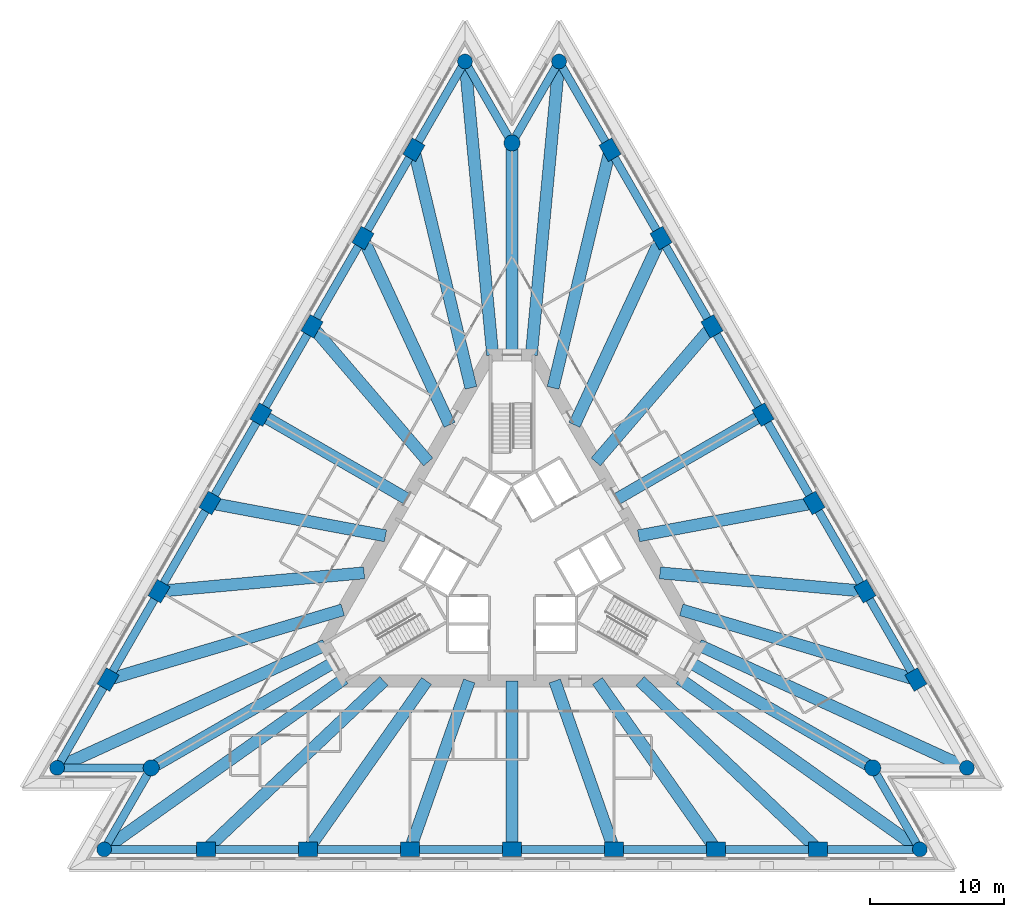
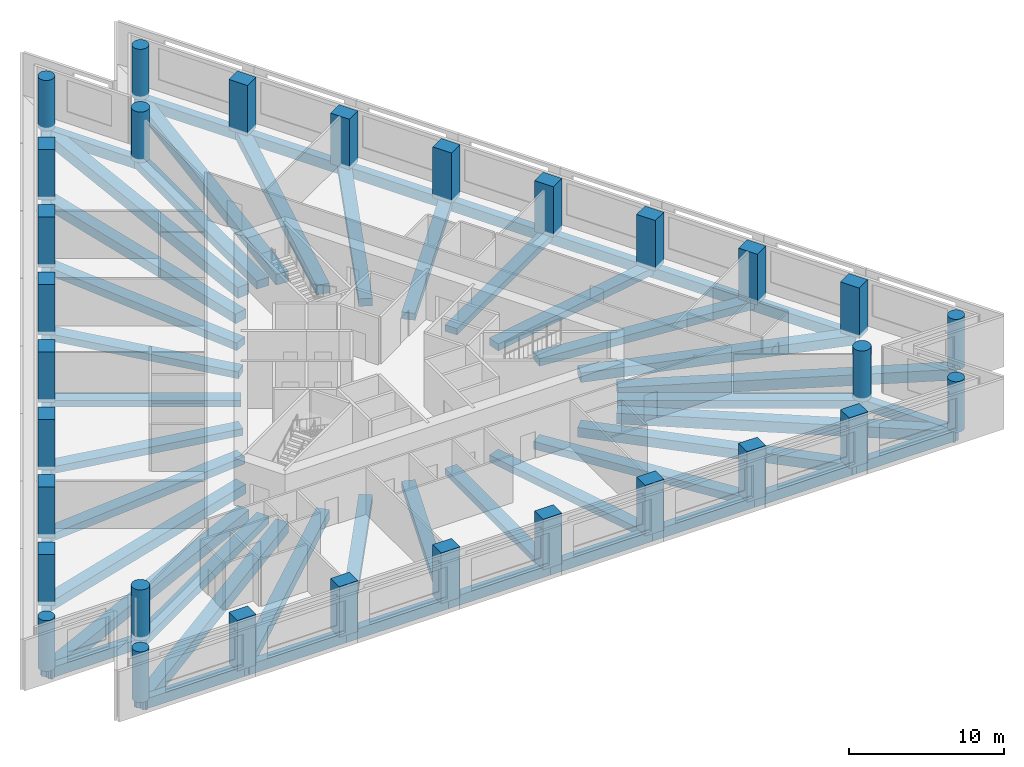
# One storey, part 1 of 11: 58 beams, 30 columns.
"""IFC4 building model written with IfcOpenShell, lengths in metres."""

import ifcopenshell
import ifcopenshell.guid

model = None  # the IFC model being written
_history = None  # IfcOwnerHistory: only IFC2X3 demands one
_inside = {}  # id of a spatial element -> (the spatial element, [elements in it])
_under = {}  # id of a project, library or spatial element -> (it, [spatial elements below it])
_declared = {}  # id of a project -> (the project, [libraries it declares])
_typed = {}  # id of a type object -> (the type object, [elements of that type])
_made_of = {}  # id of a material, layer set ... -> (it, [elements and type objects made of it])


def new_model(schema):
    """Start an empty IFC model of exactly this schema.

    Asked for "IFC4X3", IfcOpenShell would pick the latest addendum, in which some entities
    have other attributes; the version numbers below select the first issue.
    IFC2X3 requires an IfcOwnerHistory on every rooted entity: one is made here for all.
    """
    global model, _history
    if schema == "IFC4X3":
        model = ifcopenshell.file(schema_version=(4, 3, 0, 0))
    else:
        model = ifcopenshell.file(schema=schema)
    _inside.clear()
    _under.clear()
    _declared.clear()
    _typed.clear()
    _made_of.clear()
    _history = None
    if model.schema == "IFC2X3":
        org = make("IfcOrganization", Name="unknown")
        user = make(
            "IfcPersonAndOrganization",
            ThePerson=make("IfcPerson", FamilyName="unknown"),
            TheOrganization=org,
        )
        app = make(
            "IfcApplication",
            ApplicationDeveloper=org,
            Version="unknown",
            ApplicationFullName="unknown",
            ApplicationIdentifier="unknown",
        )
        _history = make(
            "IfcOwnerHistory",
            OwningUser=user,
            OwningApplication=app,
            ChangeAction="ADDED",
            CreationDate=0,
        )
    return model


def make(cls, **values):
    """One entity of the class cls with the attributes given. An attribute that is None is left unset."""
    return model.create_entity(
        cls, **{name: value for name, value in values.items() if value is not None}
    )


def rooted(cls, **values):
    """An entity with a GlobalId (a new one), such as an element, a storey or a relation."""
    return make(cls, GlobalId=ifcopenshell.guid.new(), OwnerHistory=_history, **values)


def si_unit(unit_type, name, prefix=None):
    """IfcSIUnit, for example si_unit("LENGTHUNIT", "METRE", prefix="MILLI")."""
    return make("IfcSIUnit", UnitType=unit_type, Prefix=prefix, Name=name)


def assignment(units):
    """IfcUnitAssignment: the units of a project."""
    return None if units is None else make("IfcUnitAssignment", Units=units)


def point(xyz):
    """IfcCartesianPoint."""
    return None if xyz is None else make("IfcCartesianPoint", Coordinates=xyz)


def direction(xyz):
    """IfcDirection."""
    return None if xyz is None else make("IfcDirection", DirectionRatios=xyz)


def frame(location, z_axis=None, x_axis=None):
    """IfcAxis2Placement3D, a coordinate frame: its origin and axes. An axis left out is left unset."""
    return make(
        "IfcAxis2Placement3D",
        Location=point(location),
        Axis=direction(z_axis),
        RefDirection=direction(x_axis),
    )


def frame_2d(location, x_axis=None):
    """IfcAxis2Placement2D, a coordinate frame in the plane: its origin and x axis."""
    return make(
        "IfcAxis2Placement2D", Location=point(location), RefDirection=direction(x_axis)
    )


def origin():
    """The frame at (0, 0, 0) with its axes left unset."""
    return frame((0.0, 0.0, 0.0))


def origin_2d():
    """The frame at (0, 0) in the plane with its x axis left unset."""
    return frame_2d((0.0, 0.0))


def place(relative_to, where):
    """IfcLocalPlacement: puts the frame where relative to a parent placement (None: the world)."""
    return make(
        "IfcLocalPlacement", PlacementRelTo=relative_to, RelativePlacement=where
    )


def context(
    kind, dimensions, precision=None, world=None, true_north=None, identifier=None
):
    """IfcGeometricRepresentationContext, for example the 3D "Model" context."""
    return make(
        "IfcGeometricRepresentationContext",
        ContextIdentifier=identifier,
        ContextType=kind,
        CoordinateSpaceDimension=dimensions,
        Precision=precision,
        WorldCoordinateSystem=world,
        TrueNorth=true_north,
    )


def subcontext(parent, identifier, kind, view, scale=None):
    """IfcGeometricRepresentationSubContext, for example "Body" below "Model"."""
    return make(
        "IfcGeometricRepresentationSubContext",
        ContextIdentifier=identifier,
        ContextType=kind,
        ParentContext=parent,
        TargetScale=scale,
        TargetView=view,
    )


def project(units=None, contexts=None):
    """IfcProject with its units and contexts."""
    return rooted(
        "IfcProject",
        Name="project",
        RepresentationContexts=contexts,
        UnitsInContext=assignment(units),
    )


def spatial(cls, under=None, at=None, **own):
    """A site, building, storey or space (cls), placed at a placement, below another one or the project."""
    s = rooted(cls, ObjectPlacement=at, **own)
    if under is not None:
        _under.setdefault(under.id(), (under, []))[1].append(s)
    return s


def profile(cls, at=None, kind="AREA", **sizes):
    """A parametric profile (cls). Its sizes go by their IFC names, for example OverallWidth=200.0."""
    return make(cls, ProfileType=kind, Position=at, **sizes)


def rectangle(**sizes):
    """IfcRectangleProfileDef."""
    return profile("IfcRectangleProfileDef", **sizes)


def circle(**sizes):
    """IfcCircleProfileDef."""
    return profile("IfcCircleProfileDef", **sizes)


def extrude(swept, where, along, depth):
    """IfcExtrudedAreaSolid: the profile swept, set in the frame where, extruded along a direction by depth."""
    return make(
        "IfcExtrudedAreaSolid",
        SweptArea=swept,
        Position=where,
        ExtrudedDirection=direction(along),
        Depth=depth,
    )


def shape(context_of_items, identifier, shape_type, items):
    """IfcShapeRepresentation: the items that make up one representation, for example the "Body"."""
    return make(
        "IfcShapeRepresentation",
        ContextOfItems=context_of_items,
        RepresentationIdentifier=identifier,
        RepresentationType=shape_type,
        Items=items,
    )


def material(Name=None, Category=None):
    """IfcMaterial."""
    return make("IfcMaterial", Name=Name, Category=Category)


def material_profile(
    of_material, cross_section, Name=None, Category=None, Priority=None
):
    """IfcMaterialProfile: a cross section and its material."""
    return make(
        "IfcMaterialProfile",
        Name=Name,
        Material=of_material,
        Profile=cross_section,
        Priority=Priority,
        Category=Category,
    )


def profile_set(profiles, Name=None, composite=None):
    """IfcMaterialProfileSet."""
    return make(
        "IfcMaterialProfileSet",
        Name=Name,
        MaterialProfiles=profiles,
        CompositeProfile=composite,
    )


def made_of(thing, what):
    """Note that an element or type object is made of a material, layer set ...; save() writes the relation."""
    if what is not None:
        _made_of.setdefault(what.id(), (what, []))[1].append(thing)
    return thing


def type_object(cls, material=None, **own):
    """A type object (cls), such as IfcWallType, which elements share."""
    return made_of(rooted(cls, **own), material)


def element(
    cls,
    number,
    at=None,
    inside=None,
    cuts=None,
    type_object=None,
    material=None,
    context=None,
    identifier="Body",
    shape_type=None,
    held_by="IfcProductDefinitionShape",
    body=None,
    shapes=None,
    **own,
):
    """One element of the class cls, such as IfcWall. Its Tag is "e" and its number.

    at: its placement. inside: the storey or other place that contains it. cuts: it is an
    opening in that element (IfcRelVoidsElement). A single representation is given by context,
    identifier, shape_type and body (its items); several are given by shapes. held_by: the class
    of the entity that holds the representations. save() writes the other relations.
    """
    e = rooted(cls, Tag="e%d" % number, ObjectPlacement=at, **own)
    if body is not None:
        shapes = [shape(context, identifier, shape_type, body)]
    if shapes is not None:
        e.Representation = make(held_by, Representations=shapes)
    if inside is not None:
        _inside.setdefault(inside.id(), (inside, []))[1].append(e)
    if cuts is not None:
        rooted(
            "IfcRelVoidsElement", RelatingBuildingElement=cuts, RelatedOpeningElement=e
        )
    if type_object is not None:
        _typed.setdefault(type_object.id(), (type_object, []))[1].append(e)
    return made_of(e, material)


def aggregate(whole, parts):
    """IfcRelAggregates: a whole, such as a stair, and the parts it consists of."""
    return rooted("IfcRelAggregates", RelatingObject=whole, RelatedObjects=parts)


def save(model, path):
    """Write the relations noted so far, then the file.

    IfcRelAggregates (storeys below a building ...), IfcRelContainedInSpatialStructure (elements
    in a storey), IfcRelDefinesByType, IfcRelAssociatesMaterial and IfcRelDeclares: one each for
    every whole, place, type object, material and project.
    """
    for whole, parts in _under.values():
        aggregate(whole, parts)
    for where, things in _inside.values():
        rooted(
            "IfcRelContainedInSpatialStructure",
            RelatedElements=things,
            RelatingStructure=where,
        )
    for kind, things in _typed.values():
        rooted("IfcRelDefinesByType", RelatedObjects=things, RelatingType=kind)
    for what, things in _made_of.values():
        rooted("IfcRelAssociatesMaterial", RelatedObjects=things, RelatingMaterial=what)
    for by, libraries in _declared.values():
        rooted("IfcRelDeclares", RelatingContext=by, RelatedDefinitions=libraries)
    model.write(path)


model = new_model("IFC4")

# Units and contexts
model_context = context("Model", 3, precision=1e-05, world=origin(), true_north=direction((0.0, 1.0)))
body_context = subcontext(model_context, "Body", "Model", "MODEL_VIEW")
ifc_project = project(units=[si_unit("LENGTHUNIT", "METRE"), si_unit("AREAUNIT", "SQUARE_METRE"), si_unit("VOLUMEUNIT", "CUBIC_METRE"), si_unit("PLANEANGLEUNIT", "RADIAN"), si_unit("MASSUNIT", "GRAM", prefix="KILO")], contexts=[model_context])

# Site, building, storey
site_placement = place(None, origin())
site = spatial("IfcSite", under=ifc_project, at=site_placement, CompositionType="ELEMENT")
building_placement = place(site_placement, origin())
building = spatial("IfcBuilding", under=site, at=building_placement, Name="Triada Interchange Tower", CompositionType="ELEMENT")
storey_placement = place(building_placement, frame((0.0, 0.0, 43.300048828125)))
storey = spatial("IfcBuildingStorey", under=building, at=storey_placement, Name="L08", CompositionType="ELEMENT", Elevation=43.300048828125)

# Columns
ifc_material_1 = material(Name="Concrete C70/85", Category="concrete")
ifc_material_profile_1 = material_profile(ifc_material_1, rectangle(XDim=1.39990234375, YDim=1.10009765625, at=origin_2d()), Name="RC 1400x1100")
ifc_profile_set_1 = profile_set([ifc_material_profile_1], Name="Concrete C70/85")
column_type_1 = type_object("IfcColumnType", Name="Column A face RC 1400x1100", PredefinedType="COLUMN", material=ifc_profile_set_1)
for number, where, z_axis, x_axis, name in (
    (1, (-7.306884765625, 30.5439453125, -0.300048828125), (0.0, 0.0, 1.0), (0.5, 0.866025403784, 0.0), "Column CA02 L08"),
    (2, (-11.10595703125, 23.9619140625, -0.300048828125), (0.0, 0.0, 1.0), (0.5, 0.866025403784, 0.0), "Column CA03 L08"),
    (3, (-14.906005859375, 17.381103515625, -0.300048828125), (0.0, 0.0, 1.0), (0.5, 0.866025403784, 0.0), "Column CA04 L08"),
    (4, (-18.7060546875, 10.800048828125, -0.300048828125), (0.0, 0.0, 1.0), (0.5, 0.866025403784, 0.0), "Column CA05 L08"),
    (5, (-22.506103515625, 4.218994140625, -0.300048828125), (0.0, 0.0, 1.0), (0.5, 0.866025403784, 0.0), "Column CA06 L08"),
    (6, (-26.305908203125, -2.362060546875, -0.300048828125), (0.0, 0.0, 1.0), (0.5, 0.866025403784, 0.0), "Column CA07 L08"),
    (7, (-30.10498046875, -8.944091796875, -0.300048828125), (0.0, 0.0, 1.0), (0.5, 0.866025403784, 0.0), "Column CA08 L08"),
    (8, (-22.798095703125, -21.60009765625, -0.300048828125), (0.0, 0.0, 1.0), (1.0, 0.0, 0.0), "Column CA11 L08"),
    (9, (-15.197998046875, -21.60009765625, -0.300048828125), (0.0, 0.0, 1.0), (1.0, 0.0, 0.0), "Column CA12 L08"),
    (10, (-7.59912109375, -21.60009765625, -0.300048828125), (0.0, 0.0, 1.0), (1.0, 0.0, 0.0), "Column CA13 L08"),
    (11, (0.0, -21.60009765625, -0.300048828125), (0.0, 0.0, 1.0), (1.0, 0.0, 0.0), "Column CA14 L08"),
    (12, (7.59912109375, -21.60009765625, -0.300048828125), (0.0, 0.0, 1.0), (1.0, 0.0, 0.0), "Column CA15 L08"),
    (13, (15.198974609375, -21.60009765625, -0.300048828125), (0.0, 0.0, 1.0), (1.0, 0.0, 0.0), "Column CA16 L08"),
    (14, (22.798095703125, -21.60009765625, -0.300048828125), (0.0, 0.0, 1.0), (1.0, 0.0, 0.0), "Column CA17 L08"),
    (15, (30.10498046875, -8.944091796875, -0.300048828125), (0.0, 0.0, 1.0), (-0.5, 0.866025403784, 0.0), "Column CA20 L08"),
    (16, (26.305908203125, -2.363037109375, -0.300048828125), (0.0, 0.0, 1.0), (-0.5, 0.866025403784, 0.0), "Column CA21 L08"),
    (17, (22.506103515625, 4.218994140625, -0.300048828125), (0.0, 0.0, 1.0), (-0.5, 0.866025403784, 0.0), "Column CA22 L08"),
    (18, (18.7060546875, 10.800048828125, -0.300048828125), (0.0, 0.0, 1.0), (-0.5, 0.866025403784, 0.0), "Column CA23 L08"),
    (19, (14.906005859375, 17.381103515625, -0.300048828125), (0.0, 0.0, 1.0), (-0.5, 0.866025403784, 0.0), "Column CA24 L08"),
    (20, (11.10595703125, 23.9619140625, -0.300048828125), (0.0, 0.0, 1.0), (-0.5, 0.866025403784, 0.0), "Column CA25 L08"),
    (21, (7.306884765625, 30.5439453125, -0.300048828125), (0.0, 0.0, 1.0), (-0.5, 0.866025403784, 0.0), "Column CA26 L08"),
):
    element("IfcColumn", number, at=place(storey_placement, frame(where, z_axis=z_axis, x_axis=x_axis)), inside=storey, type_object=column_type_1, Name=name, PredefinedType="COLUMN", context=body_context, shape_type="SweptSolid", body=[
        extrude(rectangle(XDim=1.39990234375, YDim=1.10009765625, at=origin_2d()), origin(), (0.0, 0.0, 1.0), 4.0),
    ])
ifc_material_profile_2 = material_profile(ifc_material_1, circle(Radius=0.550048828125, at=origin_2d()), Name="RC D1100")
ifc_profile_set_2 = profile_set([ifc_material_profile_2], Name="Concrete C70/85")
column_type_2 = type_object("IfcColumnType", Name="End column A RC D1100", PredefinedType="COLUMN", material=ifc_profile_set_2)
for number, where, z_axis, x_axis, name in (
    (22, (-3.507080078125, 37.125, -0.300048828125), (0.0, 0.0, 1.0), (0.5, 0.866025403784, 0.0), "Column CA01 L08"),
    (23, (-33.905029296875, -15.52490234375, -0.300048828125), (0.0, 0.0, 1.0), (0.5, 0.866025403784, 0.0), "Column CA09 L08"),
    (24, (-30.39697265625, -21.60009765625, -0.300048828125), (0.0, 0.0, 1.0), (1.0, 0.0, 0.0), "Column CA10 L08"),
    (25, (30.39697265625, -21.60009765625, -0.300048828125), (0.0, 0.0, 1.0), (1.0, 0.0, 0.0), "Column CA18 L08"),
    (26, (33.905029296875, -15.52490234375, -0.300048828125), (0.0, 0.0, 1.0), (-0.5, 0.866025403784, 0.0), "Column CA19 L08"),
    (27, (3.507080078125, 37.125, -0.300048828125), (0.0, 0.0, 1.0), (-0.5, 0.866025403784, 0.0), "Column CA27 L08"),
):
    element("IfcColumn", number, at=place(storey_placement, frame(where, z_axis=z_axis, x_axis=x_axis)), inside=storey, type_object=column_type_2, Name=name, PredefinedType="COLUMN", context=body_context, shape_type="SweptSolid", body=[
        extrude(circle(Radius=0.550048828125, at=origin_2d()), origin(), (0.0, 0.0, 1.0), 4.0),
    ])
ifc_material_profile_3 = material_profile(ifc_material_1, circle(Radius=0.60009765625, at=origin_2d()), Name="RC D1200")
ifc_profile_set_3 = profile_set([ifc_material_profile_3], Name="Concrete C70/85")
column_type_3 = type_object("IfcColumnType", Name="Mega column A RC D1200", PredefinedType="COLUMN", material=ifc_profile_set_3)
for number, where, z_axis, x_axis, name in (
    (28, (0.0, 31.050048828125, -0.300048828125), (0.0, 0.0, 1.0), (1.0, 0.0, 0.0), "Column MA1 L08"),
    (29, (-26.889892578125, -15.52490234375, -0.300048828125), (0.0, 0.0, 1.0), (1.0, 0.0, 0.0), "Column MA2 L08"),
    (30, (26.889892578125, -15.52490234375, -0.300048828125), (0.0, 0.0, 1.0), (1.0, 0.0, 0.0), "Column MA3 L08"),
):
    element("IfcColumn", number, at=place(storey_placement, frame(where, z_axis=z_axis, x_axis=x_axis)), inside=storey, type_object=column_type_3, Name=name, PredefinedType="COLUMN", context=body_context, shape_type="SweptSolid", body=[
        extrude(circle(Radius=0.60009765625, at=origin_2d()), origin(), (0.0, 0.0, 1.0), 4.0),
    ])

# Beams
ifc_material_2 = material(Name="Concrete C50/60", Category="concrete")
ifc_material_profile_4 = material_profile(ifc_material_2, rectangle(XDim=0.89990234375, YDim=0.5, at=origin_2d()), Name="RC 900x500")
ifc_profile_set_4 = profile_set([ifc_material_profile_4], Name="Concrete C50/60")
beam_type_1 = type_object("IfcBeamType", Name="Radial band beam A RC 900x500", PredefinedType="BEAM", material=ifc_profile_set_4)
beam_1_placement = place(storey_placement, frame((-18.7060546875, 10.800048828125, -0.550048828125), z_axis=(0.866030743932, -0.499990750478, 0.0), x_axis=(0.499990750478, 0.866030743932, 0.0)))
element("IfcBeam", 31, at=beam_1_placement, inside=storey, type_object=beam_type_1, Name="Radial band beam BA05 L08", PredefinedType="BEAM", context=body_context, shape_type="SweptSolid", body=[
    extrude(rectangle(XDim=0.89990234375, YDim=0.5, at=origin_2d()), origin(), (0.0, 0.0, 1.0), 12.550537109375),
])
beam_2_placement = place(storey_placement, frame((0.0, -21.60009765625, -0.550048828125), z_axis=(0.0, 1.0, 0.0), x_axis=(-1.0, 0.0, 0.0)))
element("IfcBeam", 32, at=beam_2_placement, inside=storey, type_object=beam_type_1, Name="Radial band beam BA15 L08", PredefinedType="BEAM", context=body_context, shape_type="SweptSolid", body=[
    extrude(rectangle(XDim=0.89990234375, YDim=0.5, at=origin_2d()), origin(), (0.0, 0.0, 1.0), 12.550048828125),
])
beam_3_placement = place(storey_placement, frame((18.7060546875, 10.800048828125, -0.550048828125), z_axis=(-0.866030743932, -0.499990750478, 0.0), x_axis=(0.499990750478, -0.866030743932, 0.0)))
element("IfcBeam", 33, at=beam_3_placement, inside=storey, type_object=beam_type_1, Name="Radial band beam BA25 L08", PredefinedType="BEAM", context=body_context, shape_type="SweptSolid", body=[
    extrude(rectangle(XDim=0.89990234375, YDim=0.5, at=origin_2d()), origin(), (0.0, 0.0, 1.0), 12.550537109375),
])
ifc_material_profile_5 = material_profile(ifc_material_2, rectangle(XDim=0.89990234375, YDim=0.550048828125, at=origin_2d()), Name="RC 900x550")
ifc_profile_set_5 = profile_set([ifc_material_profile_5], Name="Concrete C50/60")
beam_type_2 = type_object("IfcBeamType", Name="Radial band beam A RC 900x550", PredefinedType="BEAM", material=ifc_profile_set_5)
beam_4_placement = place(storey_placement, frame((-14.906005859375, 17.381103515625, -0.574951171875), z_axis=(0.650986299773, -0.75908947925, 0.0), x_axis=(0.75908947925, 0.650986299773, 0.0)))
element("IfcBeam", 34, at=beam_4_placement, inside=storey, type_object=beam_type_2, Name="Radial band beam BA04 L08", PredefinedType="BEAM", context=body_context, shape_type="SweptSolid", body=[
    extrude(rectangle(XDim=0.89990234375, YDim=0.550048828125, at=origin_2d()), origin(), (0.0, 0.0, 1.0), 13.30419921875),
])
for number, where, z_axis, x_axis, name in (
    (35, (-22.506103515625, 4.218994140625, -0.574951171875), (0.982883818868, -0.184226487259, 0.0), (0.184226487259, 0.982883818868, 0.0), "Radial band beam BA06 L08"),
    (36, (-7.59912109375, -21.60009765625, -0.574951171875), (0.33185813028, 0.943329306959, 0.0), (-0.943329306959, 0.33185813028, 0.0), "Radial band beam BA14 L08"),
    (37, (7.59912109375, -21.60009765625, -0.574951171875), (-0.33185813028, 0.943329306959, 0.0), (-0.943329306959, -0.33185813028, 0.0), "Radial band beam BA16 L08"),
    (38, (22.506103515625, 4.218994140625, -0.574951171875), (-0.982883818868, -0.184226487259, 0.0), (0.184226487259, -0.982883818868, 0.0), "Radial band beam BA24 L08"),
):
    element("IfcBeam", number, at=place(storey_placement, frame(where, z_axis=z_axis, x_axis=x_axis)), inside=storey, type_object=beam_type_2, Name=name, PredefinedType="BEAM", context=body_context, shape_type="SweptSolid", body=[
        extrude(rectangle(XDim=0.89990234375, YDim=0.550048828125, at=origin_2d()), origin(), (0.0, 0.0, 1.0), 13.303955078125),
    ])
beam_5_placement = place(storey_placement, frame((14.906005859375, 17.381103515625, -0.574951171875), z_axis=(-0.650986299773, -0.75908947925, 0.0), x_axis=(0.75908947925, -0.650986299773, 0.0)))
element("IfcBeam", 39, at=beam_5_placement, inside=storey, type_object=beam_type_2, Name="Radial band beam BA26 L08", PredefinedType="BEAM", context=body_context, shape_type="SweptSolid", body=[
    extrude(rectangle(XDim=0.89990234375, YDim=0.550048828125, at=origin_2d()), origin(), (0.0, 0.0, 1.0), 13.30419921875),
])
ifc_material_profile_6 = material_profile(ifc_material_2, rectangle(XDim=0.89990234375, YDim=0.60009765625, at=origin_2d()), Name="RC 900x600")
ifc_profile_set_6 = profile_set([ifc_material_profile_6], Name="Concrete C50/60")
beam_type_3 = type_object("IfcBeamType", Name="Radial band beam A RC 900x600", PredefinedType="BEAM", material=ifc_profile_set_6)
beam_6_placement = place(storey_placement, frame((-11.10595703125, 23.9619140625, -0.60009765625), z_axis=(0.420529694642, -0.907278775198, 0.0), x_axis=(0.907278775198, 0.420529694642, 0.0)))
element("IfcBeam", 40, at=beam_6_placement, inside=storey, type_object=beam_type_3, Name="Radial band beam BA03 L08", PredefinedType="BEAM", context=body_context, shape_type="SweptSolid", body=[
    extrude(rectangle(XDim=0.89990234375, YDim=0.60009765625, at=origin_2d()), origin(), (0.0, 0.0, 1.0), 15.3447265625),
])
beam_7_placement = place(storey_placement, frame((-26.305908203125, -2.362060546875, -0.60009765625), z_axis=(0.995994682028, 0.089412490024, 0.0), x_axis=(-0.089412490024, 0.995994682028, 0.0)))
element("IfcBeam", 41, at=beam_7_placement, inside=storey, type_object=beam_type_3, Name="Radial band beam BA07 L08", PredefinedType="BEAM", context=body_context, shape_type="SweptSolid", body=[
    extrude(rectangle(XDim=0.89990234375, YDim=0.60009765625, at=origin_2d()), origin(), (0.0, 0.0, 1.0), 15.345458984375),
])
beam_8_placement = place(storey_placement, frame((-15.197998046875, -21.60009765625, -0.60009765625), z_axis=(0.575430742672, 0.81785051225, 0.0), x_axis=(-0.81785051225, 0.575430742672, 0.0)))
element("IfcBeam", 42, at=beam_8_placement, inside=storey, type_object=beam_type_3, Name="Radial band beam BA13 L08", PredefinedType="BEAM", context=body_context, shape_type="SweptSolid", body=[
    extrude(rectangle(XDim=0.89990234375, YDim=0.60009765625, at=origin_2d()), origin(), (0.0, 0.0, 1.0), 15.34521484375),
])
beam_9_placement = place(storey_placement, frame((15.198974609375, -21.60009765625, -0.60009765625), z_axis=(-0.575473307665, 0.817820562327, 0.0), x_axis=(-0.817820562327, -0.575473307665, 0.0)))
element("IfcBeam", 43, at=beam_9_placement, inside=storey, type_object=beam_type_3, Name="Radial band beam BA17 L08", PredefinedType="BEAM", context=body_context, shape_type="SweptSolid", body=[
    extrude(rectangle(XDim=0.89990234375, YDim=0.60009765625, at=origin_2d()), origin(), (0.0, 0.0, 1.0), 15.345703125),
])
beam_10_placement = place(storey_placement, frame((26.305908203125, -2.363037109375, -0.60009765625), z_axis=(-0.995989012748, 0.089475619502, 0.0), x_axis=(-0.089475619502, -0.995989012748, 0.0)))
element("IfcBeam", 44, at=beam_10_placement, inside=storey, type_object=beam_type_3, Name="Radial band beam BA23 L08", PredefinedType="BEAM", context=body_context, shape_type="SweptSolid", body=[
    extrude(rectangle(XDim=0.89990234375, YDim=0.60009765625, at=origin_2d()), origin(), (0.0, 0.0, 1.0), 15.345458984375),
])
beam_11_placement = place(storey_placement, frame((11.10595703125, 23.9619140625, -0.60009765625), z_axis=(-0.420529694642, -0.907278775198, 0.0), x_axis=(0.907278775198, -0.420529694642, 0.0)))
element("IfcBeam", 45, at=beam_11_placement, inside=storey, type_object=beam_type_3, Name="Radial band beam BA27 L08", PredefinedType="BEAM", context=body_context, shape_type="SweptSolid", body=[
    extrude(rectangle(XDim=0.89990234375, YDim=0.60009765625, at=origin_2d()), origin(), (0.0, 0.0, 1.0), 15.3447265625),
])
ifc_material_profile_7 = material_profile(ifc_material_2, rectangle(XDim=0.89990234375, YDim=0.64990234375, at=origin_2d()), Name="RC 900x650")
ifc_profile_set_7 = profile_set([ifc_material_profile_7], Name="Concrete C50/60")
beam_type_4 = type_object("IfcBeamType", Name="Radial band beam A RC 900x650", PredefinedType="BEAM", material=ifc_profile_set_7)
for number, where, z_axis, x_axis, name in (
    (46, (-26.889892578125, -15.52490234375, -0.625), (0.866022699503, 0.500004683924, 0.0), (-0.500004683924, 0.866022699503, 0.0), "Radial band beam BA10 L08"),
    (47, (26.889892578125, -15.52490234375, -0.625), (-0.866022699503, 0.500004683924, 0.0), (-0.500004683924, -0.866022699503, 0.0), "Radial band beam BA20 L08"),
):
    element("IfcBeam", number, at=place(storey_placement, frame(where, z_axis=z_axis, x_axis=x_axis)), inside=storey, type_object=beam_type_4, Name=name, PredefinedType="BEAM", context=body_context, shape_type="SweptSolid", body=[
        extrude(rectangle(XDim=0.89990234375, YDim=0.64990234375, at=origin_2d()), origin(), (0.0, 0.0, 1.0), 15.799560546875),
    ])
beam_12_placement = place(storey_placement, frame((0.0, 31.050048828125, -0.625), z_axis=(0.0, -1.0, 0.0), x_axis=(1.0, 0.0, 0.0)))
element("IfcBeam", 48, at=beam_12_placement, inside=storey, type_object=beam_type_4, Name="Radial band beam BA30 L08", PredefinedType="BEAM", context=body_context, shape_type="SweptSolid", body=[
    extrude(rectangle(XDim=0.89990234375, YDim=0.64990234375, at=origin_2d()), origin(), (0.0, 0.0, 1.0), 15.800048828125),
])
ifc_material_profile_8 = material_profile(ifc_material_2, rectangle(XDim=0.89990234375, YDim=0.75, at=origin_2d()), Name="RC 900x750")
ifc_profile_set_8 = profile_set([ifc_material_profile_8], Name="Concrete C50/60")
beam_type_5 = type_object("IfcBeamType", Name="Radial band beam A RC 900x750", PredefinedType="BEAM", material=ifc_profile_set_8)
beam_13_placement = place(storey_placement, frame((-7.306884765625, 30.5439453125, -0.675048828125), z_axis=(0.232679133669, -0.972553556754, 0.0), x_axis=(0.972553556754, 0.232679133669, 0.0)))
element("IfcBeam", 49, at=beam_13_placement, inside=storey, type_object=beam_type_5, Name="Radial band beam BA02 L08", PredefinedType="BEAM", context=body_context, shape_type="SweptSolid", body=[
    extrude(rectangle(XDim=0.89990234375, YDim=0.75, at=origin_2d()), origin(), (0.0, 0.0, 1.0), 18.24755859375),
])
beam_14_placement = place(storey_placement, frame((-30.10498046875, -8.944091796875, -0.675048828125), z_axis=(0.958595800854, 0.284770241748, 0.0), x_axis=(-0.284770241748, 0.958595800854, 0.0)))
element("IfcBeam", 50, at=beam_14_placement, inside=storey, type_object=beam_type_5, Name="Radial band beam BA08 L08", PredefinedType="BEAM", context=body_context, shape_type="SweptSolid", body=[
    extrude(rectangle(XDim=0.89990234375, YDim=0.75, at=origin_2d()), origin(), (0.0, 0.0, 1.0), 18.246337890625),
])
for number, where, z_axis, x_axis, name in (
    (51, (-22.798095703125, -21.60009765625, -0.675048828125), (0.725922095727, 0.687776933995, 0.0), (-0.687776933995, 0.725922095727, 0.0), "Radial band beam BA12 L08"),
    (52, (22.798095703125, -21.60009765625, -0.675048828125), (-0.725922095727, 0.687776933995, 0.0), (-0.687776933995, -0.725922095727, 0.0), "Radial band beam BA18 L08"),
):
    element("IfcBeam", number, at=place(storey_placement, frame(where, z_axis=z_axis, x_axis=x_axis)), inside=storey, type_object=beam_type_5, Name=name, PredefinedType="BEAM", context=body_context, shape_type="SweptSolid", body=[
        extrude(rectangle(XDim=0.89990234375, YDim=0.75, at=origin_2d()), origin(), (0.0, 0.0, 1.0), 18.247314453125),
    ])
beam_15_placement = place(storey_placement, frame((30.10498046875, -8.944091796875, -0.675048828125), z_axis=(-0.958595800854, 0.284770241748, 0.0), x_axis=(-0.284770241748, -0.958595800854, 0.0)))
element("IfcBeam", 53, at=beam_15_placement, inside=storey, type_object=beam_type_5, Name="Radial band beam BA22 L08", PredefinedType="BEAM", context=body_context, shape_type="SweptSolid", body=[
    extrude(rectangle(XDim=0.89990234375, YDim=0.75, at=origin_2d()), origin(), (0.0, 0.0, 1.0), 18.246337890625),
])
beam_16_placement = place(storey_placement, frame((7.306884765625, 30.5439453125, -0.675048828125), z_axis=(-0.232679133669, -0.972553556754, 0.0), x_axis=(0.972553556754, -0.232679133669, 0.0)))
element("IfcBeam", 54, at=beam_16_placement, inside=storey, type_object=beam_type_5, Name="Radial band beam BA28 L08", PredefinedType="BEAM", context=body_context, shape_type="SweptSolid", body=[
    extrude(rectangle(XDim=0.89990234375, YDim=0.75, at=origin_2d()), origin(), (0.0, 0.0, 1.0), 18.24755859375),
])
ifc_material_profile_9 = material_profile(ifc_material_2, rectangle(XDim=0.89990234375, YDim=0.85009765625, at=origin_2d()), Name="RC 900x850")
ifc_profile_set_9 = profile_set([ifc_material_profile_9], Name="Concrete C50/60")
beam_type_6 = type_object("IfcBeamType", Name="Radial band beam A RC 900x850", PredefinedType="BEAM", material=ifc_profile_set_9)
beam_17_placement = place(storey_placement, frame((-3.507080078125, 37.125, -0.72509765625), z_axis=(0.094034596604, -0.995568930131, 0.0), x_axis=(0.995568930131, 0.094034596604, 0.0)))
element("IfcBeam", 55, at=beam_17_placement, inside=storey, type_object=beam_type_6, Name="Radial band beam BA01 L08", PredefinedType="BEAM", context=body_context, shape_type="SweptSolid", body=[
    extrude(rectangle(XDim=0.89990234375, YDim=0.85009765625, at=origin_2d()), origin(), (0.0, 0.0, 1.0), 21.972412109375),
])
beam_18_placement = place(storey_placement, frame((-33.905029296875, -15.52490234375, -0.72509765625), z_axis=(0.909206110878, 0.416346307709, 0.0), x_axis=(-0.416346307709, 0.909206110878, 0.0)))
element("IfcBeam", 56, at=beam_18_placement, inside=storey, type_object=beam_type_6, Name="Radial band beam BA09 L08", PredefinedType="BEAM", context=body_context, shape_type="SweptSolid", body=[
    extrude(rectangle(XDim=0.89990234375, YDim=0.85009765625, at=origin_2d()), origin(), (0.0, 0.0, 1.0), 21.971923828125),
])
for number, where, z_axis, x_axis, name in (
    (57, (-30.39697265625, -21.60009765625, -0.72509765625), (0.815161217364, 0.579234140659, 0.0), (-0.579234140659, 0.815161217364, 0.0), "Radial band beam BA11 L08"),
    (58, (30.39697265625, -21.60009765625, -0.72509765625), (-0.815161217364, 0.579234140659, 0.0), (-0.579234140659, -0.815161217364, 0.0), "Radial band beam BA19 L08"),
):
    element("IfcBeam", number, at=place(storey_placement, frame(where, z_axis=z_axis, x_axis=x_axis)), inside=storey, type_object=beam_type_6, Name=name, PredefinedType="BEAM", context=body_context, shape_type="SweptSolid", body=[
        extrude(rectangle(XDim=0.89990234375, YDim=0.85009765625, at=origin_2d()), origin(), (0.0, 0.0, 1.0), 21.97216796875),
    ])
beam_19_placement = place(storey_placement, frame((33.905029296875, -15.52490234375, -0.72509765625), z_axis=(-0.909206110878, 0.416346307709, 0.0), x_axis=(-0.416346307709, -0.909206110878, 0.0)))
element("IfcBeam", 59, at=beam_19_placement, inside=storey, type_object=beam_type_6, Name="Radial band beam BA21 L08", PredefinedType="BEAM", context=body_context, shape_type="SweptSolid", body=[
    extrude(rectangle(XDim=0.89990234375, YDim=0.85009765625, at=origin_2d()), origin(), (0.0, 0.0, 1.0), 21.971923828125),
])
beam_20_placement = place(storey_placement, frame((3.507080078125, 37.125, -0.72509765625), z_axis=(-0.094034596604, -0.995568930131, 0.0), x_axis=(0.995568930131, -0.094034596604, 0.0)))
element("IfcBeam", 60, at=beam_20_placement, inside=storey, type_object=beam_type_6, Name="Radial band beam BA29 L08", PredefinedType="BEAM", context=body_context, shape_type="SweptSolid", body=[
    extrude(rectangle(XDim=0.89990234375, YDim=0.85009765625, at=origin_2d()), origin(), (0.0, 0.0, 1.0), 21.972412109375),
])
ifc_material_profile_10 = material_profile(ifc_material_2, rectangle(XDim=0.60009765625, YDim=0.800048828125, at=origin_2d()), Name="RC 600x800")
ifc_profile_set_10 = profile_set([ifc_material_profile_10], Name="Concrete C50/60")
beam_type_7 = type_object("IfcBeamType", Name="Spandrel beam A RC 600x800", PredefinedType="BEAM", material=ifc_profile_set_10)
beam_21_placement = place(storey_placement, frame((-3.507080078125, 37.125, -0.699951171875), z_axis=(-0.500022797313, -0.86601224135, 0.0), x_axis=(0.86601224135, -0.500022797313, 0.0)))
element("IfcBeam", 61, at=beam_21_placement, inside=storey, type_object=beam_type_7, Name="Spandrel beam EA01 L08", PredefinedType="BEAM", context=body_context, shape_type="SweptSolid", body=[
    extrude(rectangle(XDim=0.60009765625, YDim=0.800048828125, at=origin_2d()), origin(), (0.0, 0.0, 1.0), 7.599365234375),
])
beam_22_placement = place(storey_placement, frame((-7.306884765625, 30.5439453125, -0.699951171875), z_axis=(-0.499894869559, -0.866086092366, 0.0), x_axis=(0.866086092366, -0.499894869559, 0.0)))
element("IfcBeam", 62, at=beam_22_placement, inside=storey, type_object=beam_type_7, Name="Spandrel beam EA02 L08", PredefinedType="BEAM", context=body_context, shape_type="SweptSolid", body=[
    extrude(rectangle(XDim=0.60009765625, YDim=0.800048828125, at=origin_2d()), origin(), (0.0, 0.0, 1.0), 7.599853515625),
])
beam_23_placement = place(storey_placement, frame((-11.10595703125, 23.9619140625, -0.699951171875), z_axis=(-0.500060803479, -0.865990296034, 0.0), x_axis=(0.865990296034, -0.500060803479, 0.0)))
element("IfcBeam", 63, at=beam_23_placement, inside=storey, type_object=beam_type_7, Name="Spandrel beam EA03 L08", PredefinedType="BEAM", context=body_context, shape_type="SweptSolid", body=[
    extrude(rectangle(XDim=0.60009765625, YDim=0.800048828125, at=origin_2d()), origin(), (0.0, 0.0, 1.0), 7.59912109375),
])
for number, where, z_axis, x_axis, name in (
    (64, (-14.906005859375, 17.381103515625, -0.699951171875), (-0.500046891162, -0.865998329467, 0.0), (0.865998329467, -0.500046891162, 0.0), "Spandrel beam EA04 L08"),
    (65, (-18.7060546875, 10.800048828125, -0.699951171875), (-0.500046891162, -0.865998329467, 0.0), (0.865998329467, -0.500046891162, 0.0), "Spandrel beam EA05 L08"),
    (66, (-22.506103515625, 4.218994140625, -0.699951171875), (-0.500022797313, -0.86601224135, 0.0), (0.86601224135, -0.500022797313, 0.0), "Spandrel beam EA06 L08"),
):
    element("IfcBeam", number, at=place(storey_placement, frame(where, z_axis=z_axis, x_axis=x_axis)), inside=storey, type_object=beam_type_7, Name=name, PredefinedType="BEAM", context=body_context, shape_type="SweptSolid", body=[
        extrude(rectangle(XDim=0.60009765625, YDim=0.800048828125, at=origin_2d()), origin(), (0.0, 0.0, 1.0), 7.599365234375),
    ])
beam_24_placement = place(storey_placement, frame((-26.305908203125, -2.362060546875, -0.699951171875), z_axis=(-0.499894869559, -0.866086092366, 0.0), x_axis=(0.866086092366, -0.499894869559, 0.0)))
element("IfcBeam", 67, at=beam_24_placement, inside=storey, type_object=beam_type_7, Name="Spandrel beam EA07 L08", PredefinedType="BEAM", context=body_context, shape_type="SweptSolid", body=[
    extrude(rectangle(XDim=0.60009765625, YDim=0.800048828125, at=origin_2d()), origin(), (0.0, 0.0, 1.0), 7.599853515625),
])
beam_25_placement = place(storey_placement, frame((-30.10498046875, -8.944091796875, -0.699951171875), z_axis=(-0.500060803479, -0.865990296034, 0.0), x_axis=(0.865990296034, -0.500060803479, 0.0)))
element("IfcBeam", 68, at=beam_25_placement, inside=storey, type_object=beam_type_7, Name="Spandrel beam EA08 L08", PredefinedType="BEAM", context=body_context, shape_type="SweptSolid", body=[
    extrude(rectangle(XDim=0.60009765625, YDim=0.800048828125, at=origin_2d()), origin(), (0.0, 0.0, 1.0), 7.59912109375),
])
beam_26_placement = place(storey_placement, frame((-33.905029296875, -15.52490234375, -0.699951171875), z_axis=(1.0, 0.0, 0.0), x_axis=(0.0, 1.0, 0.0)))
element("IfcBeam", 69, at=beam_26_placement, inside=storey, type_object=beam_type_7, Name="Spandrel beam EA09 L08", PredefinedType="BEAM", context=body_context, shape_type="SweptSolid", body=[
    extrude(rectangle(XDim=0.60009765625, YDim=0.800048828125, at=origin_2d()), origin(), (0.0, 0.0, 1.0), 7.01513671875),
])
beam_27_placement = place(storey_placement, frame((-26.889892578125, -15.52490234375, -0.699951171875), z_axis=(-0.499953429515, -0.866052289597, 0.0), x_axis=(0.866052289597, -0.499953429515, 0.0)))
element("IfcBeam", 70, at=beam_27_placement, inside=storey, type_object=beam_type_7, Name="Spandrel beam EA10 L08", PredefinedType="BEAM", context=body_context, shape_type="SweptSolid", body=[
    extrude(rectangle(XDim=0.60009765625, YDim=0.800048828125, at=origin_2d()), origin(), (0.0, 0.0, 1.0), 7.014892578125),
])
beam_28_placement = place(storey_placement, frame((-30.39697265625, -21.60009765625, -0.699951171875), z_axis=(1.0, 0.0, 0.0), x_axis=(0.0, 1.0, 0.0)))
element("IfcBeam", 71, at=beam_28_placement, inside=storey, type_object=beam_type_7, Name="Spandrel beam EA11 L08", PredefinedType="BEAM", context=body_context, shape_type="SweptSolid", body=[
    extrude(rectangle(XDim=0.60009765625, YDim=0.800048828125, at=origin_2d()), origin(), (0.0, 0.0, 1.0), 7.598876953125),
])
beam_29_placement = place(storey_placement, frame((-22.798095703125, -21.60009765625, -0.699951171875), z_axis=(1.0, 0.0, 0.0), x_axis=(0.0, 1.0, 0.0)))
element("IfcBeam", 72, at=beam_29_placement, inside=storey, type_object=beam_type_7, Name="Spandrel beam EA12 L08", PredefinedType="BEAM", context=body_context, shape_type="SweptSolid", body=[
    extrude(rectangle(XDim=0.60009765625, YDim=0.800048828125, at=origin_2d()), origin(), (0.0, 0.0, 1.0), 7.60009765625),
])
beam_30_placement = place(storey_placement, frame((-15.197998046875, -21.60009765625, -0.699951171875), z_axis=(1.0, 0.0, 0.0), x_axis=(0.0, 1.0, 0.0)))
element("IfcBeam", 73, at=beam_30_placement, inside=storey, type_object=beam_type_7, Name="Spandrel beam EA13 L08", PredefinedType="BEAM", context=body_context, shape_type="SweptSolid", body=[
    extrude(rectangle(XDim=0.60009765625, YDim=0.800048828125, at=origin_2d()), origin(), (0.0, 0.0, 1.0), 7.598876953125),
])
for number, where, z_axis, x_axis, name in (
    (74, (-7.59912109375, -21.60009765625, -0.699951171875), (1.0, 0.0, 0.0), (0.0, 1.0, 0.0), "Spandrel beam EA14 L08"),
    (75, (0.0, -21.60009765625, -0.699951171875), (1.0, 0.0, 0.0), (0.0, 1.0, 0.0), "Spandrel beam EA15 L08"),
):
    element("IfcBeam", number, at=place(storey_placement, frame(where, z_axis=z_axis, x_axis=x_axis)), inside=storey, type_object=beam_type_7, Name=name, PredefinedType="BEAM", context=body_context, shape_type="SweptSolid", body=[
        extrude(rectangle(XDim=0.60009765625, YDim=0.800048828125, at=origin_2d()), origin(), (0.0, 0.0, 1.0), 7.59912109375),
    ])
beam_31_placement = place(storey_placement, frame((7.59912109375, -21.60009765625, -0.699951171875), z_axis=(1.0, 0.0, 0.0), x_axis=(0.0, 1.0, 0.0)))
element("IfcBeam", 76, at=beam_31_placement, inside=storey, type_object=beam_type_7, Name="Spandrel beam EA16 L08", PredefinedType="BEAM", context=body_context, shape_type="SweptSolid", body=[
    extrude(rectangle(XDim=0.60009765625, YDim=0.800048828125, at=origin_2d()), origin(), (0.0, 0.0, 1.0), 7.599853515625),
])
beam_32_placement = place(storey_placement, frame((15.198974609375, -21.60009765625, -0.699951171875), z_axis=(1.0, 0.0, 0.0), x_axis=(0.0, 1.0, 0.0)))
element("IfcBeam", 77, at=beam_32_placement, inside=storey, type_object=beam_type_7, Name="Spandrel beam EA17 L08", PredefinedType="BEAM", context=body_context, shape_type="SweptSolid", body=[
    extrude(rectangle(XDim=0.60009765625, YDim=0.800048828125, at=origin_2d()), origin(), (0.0, 0.0, 1.0), 7.59912109375),
])
beam_33_placement = place(storey_placement, frame((22.798095703125, -21.60009765625, -0.699951171875), z_axis=(1.0, 0.0, 0.0), x_axis=(0.0, 1.0, 0.0)))
element("IfcBeam", 78, at=beam_33_placement, inside=storey, type_object=beam_type_7, Name="Spandrel beam EA18 L08", PredefinedType="BEAM", context=body_context, shape_type="SweptSolid", body=[
    extrude(rectangle(XDim=0.60009765625, YDim=0.800048828125, at=origin_2d()), origin(), (0.0, 0.0, 1.0), 7.598876953125),
])
beam_34_placement = place(storey_placement, frame((30.39697265625, -21.60009765625, -0.699951171875), z_axis=(-0.499953429515, 0.866052289597, 0.0), x_axis=(-0.866052289597, -0.499953429515, 0.0)))
element("IfcBeam", 79, at=beam_34_placement, inside=storey, type_object=beam_type_7, Name="Spandrel beam EA19 L08", PredefinedType="BEAM", context=body_context, shape_type="SweptSolid", body=[
    extrude(rectangle(XDim=0.60009765625, YDim=0.800048828125, at=origin_2d()), origin(), (0.0, 0.0, 1.0), 7.014892578125),
])
beam_35_placement = place(storey_placement, frame((30.10498046875, -8.944091796875, -0.699951171875), z_axis=(-0.499950508799, 0.866053975657, 0.0), x_axis=(-0.866053975657, -0.499950508799, 0.0)))
element("IfcBeam", 80, at=beam_35_placement, inside=storey, type_object=beam_type_7, Name="Spandrel beam EA22 L08", PredefinedType="BEAM", context=body_context, shape_type="SweptSolid", body=[
    extrude(rectangle(XDim=0.60009765625, YDim=0.800048828125, at=origin_2d()), origin(), (0.0, 0.0, 1.0), 7.598876953125),
])
beam_36_placement = place(storey_placement, frame((26.305908203125, -2.363037109375, -0.699951171875), z_axis=(-0.499967155389, 0.866044365799, 0.0), x_axis=(-0.866044365799, -0.499967155389, 0.0)))
element("IfcBeam", 81, at=beam_36_placement, inside=storey, type_object=beam_type_7, Name="Spandrel beam EA23 L08", PredefinedType="BEAM", context=body_context, shape_type="SweptSolid", body=[
    extrude(rectangle(XDim=0.60009765625, YDim=0.800048828125, at=origin_2d()), origin(), (0.0, 0.0, 1.0), 7.60009765625),
])
for number, where, z_axis, x_axis, name in (
    (82, (22.506103515625, 4.218994140625, -0.699951171875), (-0.500046891162, 0.865998329467, 0.0), (-0.865998329467, -0.500046891162, 0.0), "Spandrel beam EA24 L08"),
    (83, (18.7060546875, 10.800048828125, -0.699951171875), (-0.500046891162, 0.865998329467, 0.0), (-0.865998329467, -0.500046891162, 0.0), "Spandrel beam EA25 L08"),
):
    element("IfcBeam", number, at=place(storey_placement, frame(where, z_axis=z_axis, x_axis=x_axis)), inside=storey, type_object=beam_type_7, Name=name, PredefinedType="BEAM", context=body_context, shape_type="SweptSolid", body=[
        extrude(rectangle(XDim=0.60009765625, YDim=0.800048828125, at=origin_2d()), origin(), (0.0, 0.0, 1.0), 7.599365234375),
    ])
beam_37_placement = place(storey_placement, frame((14.906005859375, 17.381103515625, -0.699951171875), z_axis=(-0.500060803479, 0.865990296034, 0.0), x_axis=(-0.865990296034, -0.500060803479, 0.0)))
element("IfcBeam", 84, at=beam_37_placement, inside=storey, type_object=beam_type_7, Name="Spandrel beam EA26 L08", PredefinedType="BEAM", context=body_context, shape_type="SweptSolid", body=[
    extrude(rectangle(XDim=0.60009765625, YDim=0.800048828125, at=origin_2d()), origin(), (0.0, 0.0, 1.0), 7.59912109375),
])
beam_38_placement = place(storey_placement, frame((11.10595703125, 23.9619140625, -0.699951171875), z_axis=(-0.499894869559, 0.866086092366, 0.0), x_axis=(-0.866086092366, -0.499894869559, 0.0)))
element("IfcBeam", 85, at=beam_38_placement, inside=storey, type_object=beam_type_7, Name="Spandrel beam EA27 L08", PredefinedType="BEAM", context=body_context, shape_type="SweptSolid", body=[
    extrude(rectangle(XDim=0.60009765625, YDim=0.800048828125, at=origin_2d()), origin(), (0.0, 0.0, 1.0), 7.599853515625),
])
beam_39_placement = place(storey_placement, frame((7.306884765625, 30.5439453125, -0.699951171875), z_axis=(-0.500022797313, 0.86601224135, 0.0), x_axis=(-0.86601224135, -0.500022797313, 0.0)))
element("IfcBeam", 86, at=beam_39_placement, inside=storey, type_object=beam_type_7, Name="Spandrel beam EA28 L08", PredefinedType="BEAM", context=body_context, shape_type="SweptSolid", body=[
    extrude(rectangle(XDim=0.60009765625, YDim=0.800048828125, at=origin_2d()), origin(), (0.0, 0.0, 1.0), 7.599365234375),
])
for number, where, z_axis, x_axis, name in (
    (87, (3.507080078125, 37.125, -0.699951171875), (-0.49996849935, -0.866043589929, 0.0), (0.866043589929, -0.49996849935, 0.0), "Spandrel beam EA29 L08"),
    (88, (0.0, 31.050048828125, -0.699951171875), (-0.49996849935, 0.866043589929, 0.0), (-0.866043589929, -0.49996849935, 0.0), "Spandrel beam EA30 L08"),
):
    element("IfcBeam", number, at=place(storey_placement, frame(where, z_axis=z_axis, x_axis=x_axis)), inside=storey, type_object=beam_type_7, Name=name, PredefinedType="BEAM", context=body_context, shape_type="SweptSolid", body=[
        extrude(rectangle(XDim=0.60009765625, YDim=0.800048828125, at=origin_2d()), origin(), (0.0, 0.0, 1.0), 7.0146484375),
    ])

save(model, "model.ifc")
